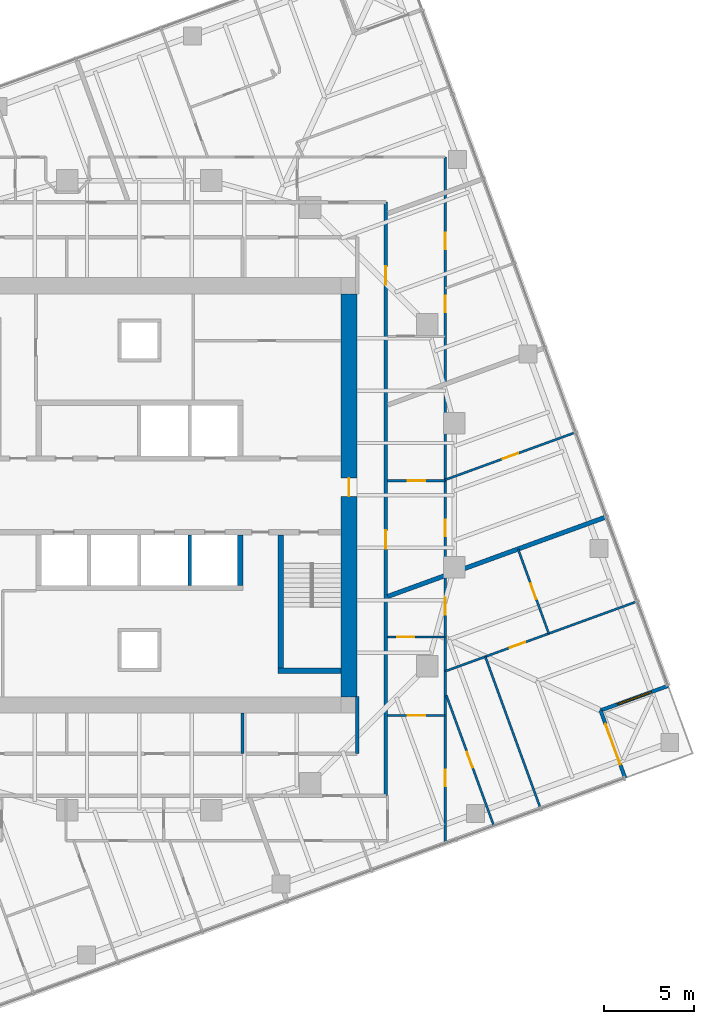
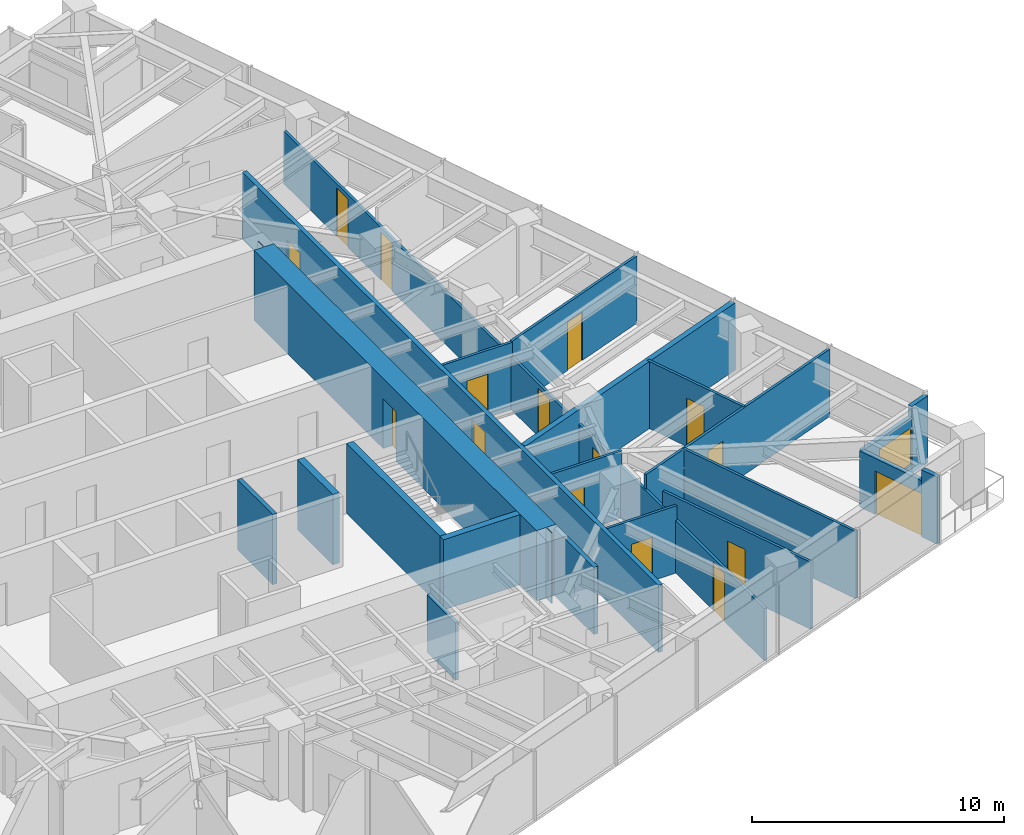
# One storey, part 9 of 13: 22 walls, 16 doors, 1 window, 17 openings.
"""IFC4 building model written with IfcOpenShell, lengths in metres."""

from ifc_helpers import new_model, si_unit, direction, frame, frame_2d, origin, place, context, subcontext, project, spatial, polyline, rectangle, outline, extrude, material, layer, layer_set, type_object, element, fill, save


model = new_model("IFC4")

# Units and contexts
model_context = context("Model", 3, precision=1e-05, world=origin(), true_north=direction((0.0, 1.0)))
body_context = subcontext(model_context, "Body", "Model", "MODEL_VIEW")
ifc_project = project(units=[si_unit("LENGTHUNIT", "METRE"), si_unit("AREAUNIT", "SQUARE_METRE"), si_unit("VOLUMEUNIT", "CUBIC_METRE"), si_unit("PLANEANGLEUNIT", "RADIAN"), si_unit("MASSUNIT", "GRAM", prefix="KILO")], contexts=[model_context])

# Site, building, storey
site_placement = place(None, origin())
site = spatial("IfcSite", under=ifc_project, at=site_placement, CompositionType="ELEMENT")
building_placement = place(site_placement, origin())
building = spatial("IfcBuilding", under=site, at=building_placement, Name="Torsade Residences", CompositionType="ELEMENT")
storey_placement = place(building_placement, frame((0.0, 0.0, 143.800048828125)))
storey = spatial("IfcBuildingStorey", under=building, at=storey_placement, Name="L39", CompositionType="ELEMENT", Elevation=143.800048828125)

# Walls
ifc_material_1 = material(Name="Concrete 80 MPa", Category="concrete")
ifc_layer_1 = layer(ifc_material_1, 0.300048828125)
ifc_layer_set_1 = layer_set([ifc_layer_1], Name="Concrete 80 MPa")
wall_type_1 = type_object("IfcWallType", Name="CORE INTERNAL WALL 300", PredefinedType="SHEAR", material=ifc_layer_set_1)
wall_1_placement = place(storey_placement, frame((45.60009765625, 27.800048828125, 0.0), z_axis=(0.0, 0.0, 1.0), x_axis=(0.0, -1.0, 0.0)))
element("IfcWall", 1, at=wall_1_placement, inside=storey, type_object=wall_type_1, Name="Core wall DS0 L39", PredefinedType="SHEAR", context=body_context, shape_type="SweptSolid", body=[
    extrude(rectangle(XDim=2.800048828125, YDim=0.300048828125, at=frame_2d((1.39990234375, 0.0))), origin(), (0.0, 0.0, 1.0), 3.39990234375),
])
wall_2_placement = place(storey_placement, frame((47.85009765625, 27.800048828125, 0.0), z_axis=(0.0, 0.0, 1.0), x_axis=(0.0, -1.0, 0.0)))
element("IfcWall", 2, at=wall_2_placement, inside=storey, type_object=wall_type_1, Name="Core wall ST2W L39", PredefinedType="SHEAR", context=body_context, shape_type="SweptSolid", body=[
    extrude(rectangle(XDim=7.699951171875, YDim=0.300048828125, at=frame_2d((3.85009765625, 0.0))), origin(), (0.0, 0.0, 1.0), 3.39990234375),
])
wall_3_placement = place(storey_placement, frame((51.199951171875, 20.25, 0.0), z_axis=(0.0, 0.0, 1.0), x_axis=(-1.0, 0.0, 0.0)))
element("IfcWall", 3, at=wall_3_placement, inside=storey, type_object=wall_type_1, Name="Core wall ST2S L39", PredefinedType="SHEAR", context=body_context, shape_type="SweptSolid", body=[
    extrude(rectangle(XDim=3.5, YDim=0.300048828125, at=frame_2d((1.75, 0.0))), origin(), (0.0, 0.0, 1.0), 3.39990234375),
])

# Wall, opening, door
ifc_material_2 = material(Name="Concrete 80 MPa", Category="concrete")
ifc_layer_2 = layer(ifc_material_2, 0.89990234375)
ifc_layer_set_2 = layer_set([ifc_layer_2], Name="Concrete 80 MPa")
wall_type_2 = type_object("IfcWallType", Name="CORE WALL 900", PredefinedType="SHEAR", material=ifc_layer_set_2)
wall_4_placement = place(storey_placement, frame((51.64990234375, 18.800048828125, 0.0), z_axis=(0.0, 0.0, 1.0), x_axis=(0.0, 1.0, 0.0)))
wall_4 = element("IfcWall", 4, at=wall_4_placement, inside=storey, type_object=wall_type_2, Name="Core wall E L39", PredefinedType="SHEAR", context=body_context, shape_type="SweptSolid", body=[
    extrude(outline(polyline([(0.0, -0.449951171875), (22.39990234375, -0.449951171875), (22.39990234375, -0.02490234375), (22.849853515625, -0.02490234375), (22.849853515625, 0.02490234375), (22.39990234375, 0.02490234375), (22.39990234375, 0.449951171875), (0.0, 0.449951171875), (0.0, 0.02490234375), (-0.449951171875, 0.02490234375), (-0.449951171875, -0.02490234375), (0.0, -0.02490234375), (0.0, -0.449951171875)])), origin(), (0.0, 0.0, 1.0), 3.39990234375),
])
opening_1_placement = place(wall_4_placement, frame((11.139892578125, 0.0, 0.0)))
opening_1 = element("IfcOpeningElement", 5, at=opening_1_placement, cuts=wall_4, Name="Opening D04", PredefinedType="OPENING", context=body_context, shape_type="SweptSolid", body=[
    extrude(rectangle(XDim=1.02001953125, YDim=2.39990234375, at=frame_2d((0.510009765625, 1.199951171875))), frame((0.0, 0.4599609375, 0.0), z_axis=(0.0, -1.0, 0.0), x_axis=(1.0, 0.0, 0.0)), (0.0, 0.0, 1.0), 0.919921875),
])
ifc_material_3 = material(Name="Steel-framed fire door", Category="steel")
door_type_1 = type_object("IfcDoorType", Name="LOBBY SMOKE DOOR 1020x2400", OperationType="NOTDEFINED", PredefinedType="DOOR", material=ifc_material_3)
door_1_placement = place(opening_1_placement, origin())
door_1 = element("IfcDoor", 6, at=door_1_placement, inside=storey, type_object=door_type_1, Name="Lift lobby door E L39", OperationType="SINGLE_SWING_LEFT", OverallHeight=2.39990234375, OverallWidth=1.02001953125, PredefinedType="DOOR", context=body_context, shape_type="SweptSolid", body=[
    extrude(rectangle(XDim=1.02001953125, YDim=2.39990234375, at=frame_2d((0.510009765625, 1.199951171875))), frame((0.0, 0.02490234375, 0.0), z_axis=(0.0, -1.0, 0.0), x_axis=(1.0, 0.0, 0.0)), (0.0, 0.0, 1.0), 0.050048828125),
])
fill(opening_1, door_1)

# Wall, openings, doors
ifc_material_4 = material(Name="Plasterboard on steel stud", Category="steel")
ifc_layer_3 = layer(ifc_material_4, 0.199951171875)
ifc_layer_set_3 = layer_set([ifc_layer_3], Name="Plasterboard on steel stud")
wall_type_3 = type_object("IfcWallType", Name="CORRIDOR WALL 200", PredefinedType="PARTITIONING", material=ifc_layer_set_3)
wall_5_placement = place(storey_placement, frame((53.699951171875, 13.300048828125, 0.0), z_axis=(0.0, 0.0, 1.0), x_axis=(0.0, 1.0, 0.0)))
wall_5 = element("IfcWall", 7, at=wall_5_placement, inside=storey, type_object=wall_type_3, Name="Corridor wall L39", PredefinedType="PARTITIONING", context=body_context, shape_type="SweptSolid", body=[
    extrude(rectangle(XDim=33.0, YDim=0.199951171875, at=frame_2d((16.5, 0.0))), origin(), (0.0, 0.0, 1.0), 3.25),
])
opening_2_placement = place(wall_5_placement, frame((28.4111328125, 0.0, 0.0)))
opening_2 = element("IfcOpeningElement", 8, at=opening_2_placement, cuts=wall_5, Name="Opening D01L", PredefinedType="OPENING", context=body_context, shape_type="SweptSolid", body=[
    extrude(rectangle(XDim=1.02001953125, YDim=2.10009765625, at=frame_2d((0.510009765625, 1.050048828125))), frame((0.0, 0.10986328125, 0.0), z_axis=(0.0, -1.0, 0.0), x_axis=(1.0, 0.0, 0.0)), (0.0, 0.0, 1.0), 0.219970703125),
])
opening_3_placement = place(wall_5_placement, frame((13.7412109375, 0.0, 0.0)))
opening_3 = element("IfcOpeningElement", 9, at=opening_3_placement, cuts=wall_5, Name="Opening D01", PredefinedType="OPENING", context=body_context, shape_type="SweptSolid", body=[
    extrude(rectangle(XDim=1.02001953125, YDim=2.340087890625, at=frame_2d((0.510009765625, 1.169921875))), frame((0.0, 0.10986328125, 0.0), z_axis=(0.0, -1.0, 0.0), x_axis=(1.0, 0.0, 0.0)), (0.0, 0.0, 1.0), 0.219970703125),
])
ifc_material_5 = material(Name="Solid-core timber fire door", Category="wood")
door_type_2 = type_object("IfcDoorType", Name="APARTMENT ENTRY DOOR 1020x2100", OperationType="NOTDEFINED", PredefinedType="DOOR", material=ifc_material_5)
door_2_placement = place(opening_2_placement, origin())
door_2 = element("IfcDoor", 10, at=door_2_placement, inside=storey, type_object=door_type_2, Name="Door Residential corridor to Kitchen and dining", OperationType="SINGLE_SWING_RIGHT", OverallHeight=2.10009765625, OverallWidth=1.02001953125, PredefinedType="DOOR", context=body_context, shape_type="SweptSolid", body=[
    extrude(rectangle(XDim=1.02001953125, YDim=2.10009765625, at=frame_2d((0.510009765625, 1.050048828125))), frame((0.0, 0.02490234375, 0.0), z_axis=(0.0, -1.0, 0.0), x_axis=(1.0, 0.0, 0.0)), (0.0, 0.0, 1.0), 0.050048828125),
])
fill(opening_2, door_2)
ifc_material_6 = material(Name="Solid-core timber fire door", Category="wood")
door_type_3 = type_object("IfcDoorType", Name="APARTMENT ENTRY DOOR 1020x2340", OperationType="NOTDEFINED", PredefinedType="DOOR", material=ifc_material_6)
door_3_placement = place(opening_3_placement, origin())
door_3 = element("IfcDoor", 11, at=door_3_placement, inside=storey, type_object=door_type_3, Name="Door Residential corridor to Kitchen and dining", OperationType="SINGLE_SWING_LEFT", OverallHeight=2.340087890625, OverallWidth=1.02001953125, PredefinedType="DOOR", context=body_context, shape_type="SweptSolid", body=[
    extrude(rectangle(XDim=1.02001953125, YDim=2.340087890625, at=frame_2d((0.510009765625, 1.169921875))), frame((0.0, 0.02490234375, 0.0), z_axis=(0.0, -1.0, 0.0), x_axis=(1.0, 0.0, 0.0)), (0.0, 0.0, 1.0), 0.050048828125),
])
fill(opening_3, door_3)

# Walls
wall_6_placement = place(storey_placement, frame((52.10009765625, 15.64990234375, 0.0), z_axis=(0.0, 0.0, 1.0), x_axis=(0.0, 1.0, 0.0)))
element("IfcWall", 12, at=wall_6_placement, inside=storey, type_object=wall_type_3, Name="Corridor wall L39", PredefinedType="PARTITIONING", context=body_context, shape_type="SweptSolid", body=[
    extrude(rectangle(XDim=3.170166015625, YDim=0.199951171875, at=frame_2d((1.5849609375, 0.0))), origin(), (0.0, 0.0, 1.0), 3.25),
])
ifc_material_7 = material(Name="Reinforced blockwork", Category="masonry")
ifc_layer_4 = layer(ifc_material_7, 0.199951171875)
ifc_layer_set_4 = layer_set([ifc_layer_4], Name="Reinforced blockwork")
wall_type_4 = type_object("IfcWallType", Name="LIFT SHAFT DIVIDING WALL 200", PredefinedType="SOLIDWALL", material=ifc_layer_set_4)
wall_7_placement = place(storey_placement, frame((42.800048828125, 27.800048828125, 0.0), z_axis=(0.0, 0.0, 1.0), x_axis=(0.0, -1.0, 0.0)))
element("IfcWall", 13, at=wall_7_placement, inside=storey, type_object=wall_type_4, Name="Core wall DS1 L39", PredefinedType="SOLIDWALL", context=body_context, shape_type="SweptSolid", body=[
    extrude(rectangle(XDim=2.800048828125, YDim=0.199951171875, at=frame_2d((1.39990234375, 0.0))), origin(), (0.0, 0.0, 1.0), 3.39990234375),
])

# Wall, opening, door
ifc_material_8 = material(Name="Plasterboard on steel stud", Category="steel")
ifc_layer_5 = layer(ifc_material_8, 0.1201171875)
ifc_layer_set_5 = layer_set([ifc_layer_5], Name="Plasterboard on steel stud")
wall_type_5 = type_object("IfcWallType", Name="PARTITION 120", PredefinedType="PARTITIONING", material=ifc_layer_set_5)
wall_8_placement = place(storey_placement, frame((53.800048828125, 17.768798828125, 0.0), z_axis=(0.0, 0.0, 1.0), x_axis=(1.0, 0.0, 0.0)))
wall_8 = element("IfcWall", 14, at=wall_8_placement, inside=storey, type_object=wall_type_5, Name="Partition L39", PredefinedType="PARTITIONING", context=body_context, shape_type="SweptSolid", body=[
    extrude(rectangle(XDim=3.199951171875, YDim=0.1201171875, at=frame_2d((1.60009765625, 0.0))), origin(), (0.0, 0.0, 1.0), 3.25),
])
opening_4_placement = place(wall_8_placement, frame((1.1201171875, 0.0, 0.0)))
opening_4 = element("IfcOpeningElement", 15, at=opening_4_placement, cuts=wall_8, Name="Opening D05", PredefinedType="OPENING", context=body_context, shape_type="SweptSolid", body=[
    extrude(rectangle(XDim=0.9599609375, YDim=2.10009765625, at=frame_2d((0.47998046875, 1.050048828125))), frame((0.0, 0.070068359375, 0.0), z_axis=(0.0, -1.0, 0.0), x_axis=(1.0, 0.0, 0.0)), (0.0, 0.0, 1.0), 0.14013671875),
])
ifc_material_9 = material(Name="Hollow-core timber door in a steel cavity frame", Category="steel")
door_type_4 = type_object("IfcDoorType", Name="BATHROOM CAVITY SLIDING DOOR 960", OperationType="SLIDING_TO_LEFT", PredefinedType="DOOR", material=ifc_material_9)
door_4_placement = place(opening_4_placement, origin())
door_4 = element("IfcDoor", 16, at=door_4_placement, inside=storey, type_object=door_type_4, Name="Door Scullery to Bathroom", OperationType="SLIDING_TO_LEFT", OverallHeight=2.10009765625, OverallWidth=0.9599609375, PredefinedType="DOOR", context=body_context, shape_type="SweptSolid", body=[
    extrude(rectangle(XDim=0.9599609375, YDim=2.10009765625, at=frame_2d((0.47998046875, 1.050048828125))), frame((0.0, 0.02490234375, 0.0), z_axis=(0.0, -1.0, 0.0), x_axis=(1.0, 0.0, 0.0)), (0.0, 0.0, 1.0), 0.050048828125),
])
fill(opening_4, door_4)

# Wall, openings, doors
wall_9_placement = place(storey_placement, frame((57.0, 48.800048828125, 0.0), z_axis=(0.0, 0.0, 1.0), x_axis=(0.0, -1.0, 0.0)))
wall_9 = element("IfcWall", 17, at=wall_9_placement, inside=storey, type_object=wall_type_5, Name="Partition L39", PredefinedType="PARTITIONING", context=body_context, shape_type="SweptSolid", body=[
    extrude(rectangle(XDim=38.11279296875, YDim=0.1201171875, at=frame_2d((19.056396484375, 0.0))), origin(), (0.0, 0.0, 1.0), 2.550048828125),
])
opening_5_placement = place(wall_9_placement, frame((4.19775390625, 0.0, 0.0)))
opening_5 = element("IfcOpeningElement", 18, at=opening_5_placement, cuts=wall_9, Name="Opening D02", PredefinedType="OPENING", context=body_context, shape_type="SweptSolid", body=[
    extrude(rectangle(XDim=0.919921875, YDim=2.340087890625, at=frame_2d((0.4599609375, 1.169921875))), frame((0.0, 0.070068359375, 0.0), z_axis=(0.0, -1.0, 0.0), x_axis=(1.0, 0.0, 0.0)), (0.0, 0.0, 1.0), 0.14013671875),
])
opening_6_placement = place(wall_9_placement, frame((7.69189453125, 0.0, 0.0)))
opening_6 = element("IfcOpeningElement", 19, at=opening_6_placement, cuts=wall_9, Name="Opening D02", PredefinedType="OPENING", context=body_context, shape_type="SweptSolid", body=[
    extrude(rectangle(XDim=0.919921875, YDim=2.340087890625, at=frame_2d((0.4599609375, 1.169921875))), frame((0.0, 0.070068359375, 0.0), z_axis=(0.0, -1.0, 0.0), x_axis=(1.0, 0.0, 0.0)), (0.0, 0.0, 1.0), 0.14013671875),
])
opening_7_placement = place(wall_9_placement, frame((20.162109375, 0.0, 0.0)))
opening_7 = element("IfcOpeningElement", 20, at=opening_7_placement, cuts=wall_9, Name="Opening D02", PredefinedType="OPENING", context=body_context, shape_type="SweptSolid", body=[
    extrude(rectangle(XDim=0.919921875, YDim=2.340087890625, at=frame_2d((0.4599609375, 1.169921875))), frame((0.0, 0.070068359375, 0.0), z_axis=(0.0, -1.0, 0.0), x_axis=(1.0, 0.0, 0.0)), (0.0, 0.0, 1.0), 0.14013671875),
])
opening_8_placement = place(wall_9_placement, frame((34.0556640625, 0.0, 0.0)))
opening_8 = element("IfcOpeningElement", 21, at=opening_8_placement, cuts=wall_9, Name="Opening D02", PredefinedType="OPENING", context=body_context, shape_type="SweptSolid", body=[
    extrude(rectangle(XDim=0.919921875, YDim=2.340087890625, at=frame_2d((0.4599609375, 1.169921875))), frame((0.0, 0.070068359375, 0.0), z_axis=(0.0, -1.0, 0.0), x_axis=(1.0, 0.0, 0.0)), (0.0, 0.0, 1.0), 0.14013671875),
])
opening_9_placement = place(wall_9_placement, frame((24.482421875, 0.0, 0.0)))
opening_9 = element("IfcOpeningElement", 22, at=opening_9_placement, cuts=wall_9, Name="Opening D05", PredefinedType="OPENING", context=body_context, shape_type="SweptSolid", body=[
    extrude(rectangle(XDim=0.9599609375, YDim=2.10009765625, at=frame_2d((0.47998046875, 1.050048828125))), frame((0.0, 0.070068359375, 0.0), z_axis=(0.0, -1.0, 0.0), x_axis=(1.0, 0.0, 0.0)), (0.0, 0.0, 1.0), 0.14013671875),
])
door_5_placement = place(opening_9_placement, origin())
door_5 = element("IfcDoor", 23, at=door_5_placement, inside=storey, type_object=door_type_4, Name="Door Ensuite to Walk-in robe", OperationType="SLIDING_TO_LEFT", OverallHeight=2.10009765625, OverallWidth=0.9599609375, PredefinedType="DOOR", context=body_context, shape_type="SweptSolid", body=[
    extrude(rectangle(XDim=0.9599609375, YDim=2.10009765625, at=frame_2d((0.47998046875, 1.050048828125))), frame((0.0, 0.02490234375, 0.0), z_axis=(0.0, -1.0, 0.0), x_axis=(1.0, 0.0, 0.0)), (0.0, 0.0, 1.0), 0.050048828125),
])
fill(opening_9, door_5)
ifc_material_10 = material(Name="Hollow-core timber door", Category="wood")
door_type_5 = type_object("IfcDoorType", Name="INTERNAL DOOR 920x2340", OperationType="NOTDEFINED", PredefinedType="DOOR", material=ifc_material_10)
door_6_placement = place(opening_5_placement, origin())
door_6 = element("IfcDoor", 24, at=door_6_placement, inside=storey, type_object=door_type_5, Name="Door Kitchen and dining to Bedroom 1", OperationType="SINGLE_SWING_RIGHT", OverallHeight=2.340087890625, OverallWidth=0.919921875, PredefinedType="DOOR", context=body_context, shape_type="SweptSolid", body=[
    extrude(rectangle(XDim=0.919921875, YDim=2.340087890625, at=frame_2d((0.4599609375, 1.169921875))), frame((0.0, 0.02490234375, 0.0), z_axis=(0.0, -1.0, 0.0), x_axis=(1.0, 0.0, 0.0)), (0.0, 0.0, 1.0), 0.050048828125),
])
fill(opening_5, door_6)
door_7_placement = place(opening_6_placement, origin())
door_7 = element("IfcDoor", 25, at=door_7_placement, inside=storey, type_object=door_type_5, Name="Door Kitchen and dining to Living room", OperationType="SINGLE_SWING_LEFT", OverallHeight=2.340087890625, OverallWidth=0.919921875, PredefinedType="DOOR", context=body_context, shape_type="SweptSolid", body=[
    extrude(rectangle(XDim=0.919921875, YDim=2.340087890625, at=frame_2d((0.4599609375, 1.169921875))), frame((0.0, 0.02490234375, 0.0), z_axis=(0.0, -1.0, 0.0), x_axis=(1.0, 0.0, 0.0)), (0.0, 0.0, 1.0), 0.050048828125),
])
fill(opening_6, door_7)
door_8_placement = place(opening_7_placement, origin())
door_8 = element("IfcDoor", 26, at=door_8_placement, inside=storey, type_object=door_type_5, Name="Door Kitchen and dining to Living room", OperationType="SINGLE_SWING_RIGHT", OverallHeight=2.340087890625, OverallWidth=0.919921875, PredefinedType="DOOR", context=body_context, shape_type="SweptSolid", body=[
    extrude(rectangle(XDim=0.919921875, YDim=2.340087890625, at=frame_2d((0.4599609375, 1.169921875))), frame((0.0, 0.02490234375, 0.0), z_axis=(0.0, -1.0, 0.0), x_axis=(1.0, 0.0, 0.0)), (0.0, 0.0, 1.0), 0.050048828125),
])
fill(opening_7, door_8)
door_9_placement = place(opening_8_placement, origin())
door_9 = element("IfcDoor", 27, at=door_9_placement, inside=storey, type_object=door_type_5, Name="Door Scullery to Study", OperationType="SINGLE_SWING_RIGHT", OverallHeight=2.340087890625, OverallWidth=0.919921875, PredefinedType="DOOR", context=body_context, shape_type="SweptSolid", body=[
    extrude(rectangle(XDim=0.919921875, YDim=2.340087890625, at=frame_2d((0.4599609375, 1.169921875))), frame((0.0, 0.02490234375, 0.0), z_axis=(0.0, -1.0, 0.0), x_axis=(1.0, 0.0, 0.0)), (0.0, 0.0, 1.0), 0.050048828125),
])
fill(opening_8, door_9)

# Wall, opening, door
wall_10_placement = place(storey_placement, frame((53.800048828125, 22.12939453125, 0.0), z_axis=(0.0, 0.0, 1.0), x_axis=(1.0, 0.0, 0.0)))
wall_10 = element("IfcWall", 28, at=wall_10_placement, inside=storey, type_object=wall_type_5, Name="Partition L39", PredefinedType="PARTITIONING", context=body_context, shape_type="SweptSolid", body=[
    extrude(rectangle(XDim=3.199951171875, YDim=0.1201171875, at=frame_2d((1.60009765625, 0.0))), origin(), (0.0, 0.0, 1.0), 3.25),
])
opening_10_placement = place(wall_10_placement, frame((0.52001953125, 0.0, 0.0)))
opening_10 = element("IfcOpeningElement", 29, at=opening_10_placement, cuts=wall_10, Name="Opening D05", PredefinedType="OPENING", context=body_context, shape_type="SweptSolid", body=[
    extrude(rectangle(XDim=0.9599609375, YDim=2.10009765625, at=frame_2d((0.47998046875, 1.050048828125))), frame((0.0, 0.070068359375, 0.0), z_axis=(0.0, -1.0, 0.0), x_axis=(1.0, 0.0, 0.0)), (0.0, 0.0, 1.0), 0.14013671875),
])
door_10_placement = place(opening_10_placement, origin())
door_10 = element("IfcDoor", 30, at=door_10_placement, inside=storey, type_object=door_type_4, Name="Door Bathroom to Ensuite", OperationType="SLIDING_TO_LEFT", OverallHeight=2.10009765625, OverallWidth=0.9599609375, PredefinedType="DOOR", context=body_context, shape_type="SweptSolid", body=[
    extrude(rectangle(XDim=0.9599609375, YDim=2.10009765625, at=frame_2d((0.47998046875, 1.050048828125))), frame((0.0, 0.02490234375, 0.0), z_axis=(0.0, -1.0, 0.0), x_axis=(1.0, 0.0, 0.0)), (0.0, 0.0, 1.0), 0.050048828125),
])
fill(opening_10, door_10)

wall_11_placement = place(storey_placement, frame((57.0, 20.224853515625, 0.0), z_axis=(0.0, 0.0, 1.0), x_axis=(0.939693965364, 0.342016449105, 0.0)))
wall_11 = element("IfcWall", 31, at=wall_11_placement, inside=storey, type_object=wall_type_5, Name="Partition L39", PredefinedType="PARTITIONING", context=body_context, shape_type="SweptSolid", body=[
    extrude(rectangle(XDim=11.328369140625, YDim=0.1201171875, at=frame_2d((5.6640625, 0.0))), origin(), (0.0, 0.0, 1.0), 3.25),
])
opening_11_placement = place(wall_11_placement, frame((3.812255859375, 0.0, 0.0)))
opening_11 = element("IfcOpeningElement", 32, at=opening_11_placement, cuts=wall_11, Name="Opening D02", PredefinedType="OPENING", context=body_context, shape_type="SweptSolid", body=[
    extrude(rectangle(XDim=0.919921875, YDim=2.340087890625, at=frame_2d((0.4599609375, 1.169921875))), frame((0.0, 0.070068359375, 0.0), z_axis=(0.0, -1.0, 0.0), x_axis=(1.0, 0.0, 0.0)), (0.0, 0.0, 1.0), 0.14013671875),
])
door_11_placement = place(opening_11_placement, origin())
door_11 = element("IfcDoor", 33, at=door_11_placement, inside=storey, type_object=door_type_5, Name="Door Walk-in robe to Living room", OperationType="SINGLE_SWING_RIGHT", OverallHeight=2.340087890625, OverallWidth=0.919921875, PredefinedType="DOOR", context=body_context, shape_type="SweptSolid", body=[
    extrude(rectangle(XDim=0.919921875, YDim=2.340087890625, at=frame_2d((0.4599609375, 1.169921875))), frame((0.0, 0.02490234375, 0.0), z_axis=(0.0, -1.0, 0.0), x_axis=(1.0, 0.0, 0.0)), (0.0, 0.0, 1.0), 0.050048828125),
])
fill(opening_11, door_11)

# Wall
wall_12_placement = place(storey_placement, frame((62.290283203125, 12.615234375, 0.0), z_axis=(0.0, 0.0, 1.0), x_axis=(-0.342038393654, 0.939685978009, 0.0)))
element("IfcWall", 34, at=wall_12_placement, inside=storey, type_object=wall_type_5, Name="Partition L39", PredefinedType="PARTITIONING", context=body_context, shape_type="SweptSolid", body=[
    extrude(rectangle(XDim=8.960205078125, YDim=0.1201171875, at=frame_2d((4.47998046875, 0.0))), origin(), (0.0, 0.0, 1.0), 3.25),
])

# Wall, opening, door
wall_13_placement = place(storey_placement, frame((62.756591796875, 22.320068359375, 0.0), z_axis=(0.0, 0.0, 1.0), x_axis=(-0.341993964619, 0.939702148643, 0.0)))
wall_13 = element("IfcWall", 35, at=wall_13_placement, inside=storey, type_object=wall_type_5, Name="Partition L39", PredefinedType="PARTITIONING", context=body_context, shape_type="SweptSolid", body=[
    extrude(rectangle(XDim=5.0, YDim=0.1201171875, at=frame_2d((2.5, 0.0))), origin(), (0.0, 0.0, 1.0), 3.25),
])
opening_12_placement = place(wall_13_placement, frame((2.0400390625, 0.0, 0.0)))
opening_12 = element("IfcOpeningElement", 36, at=opening_12_placement, cuts=wall_13, Name="Opening D02", PredefinedType="OPENING", context=body_context, shape_type="SweptSolid", body=[
    extrude(rectangle(XDim=0.919921875, YDim=2.340087890625, at=frame_2d((0.4599609375, 1.169921875))), frame((0.0, 0.070068359375, 0.0), z_axis=(0.0, -1.0, 0.0), x_axis=(1.0, 0.0, 0.0)), (0.0, 0.0, 1.0), 0.14013671875),
])
door_12_placement = place(opening_12_placement, origin())
door_12 = element("IfcDoor", 37, at=door_12_placement, inside=storey, type_object=door_type_5, Name="Door Walk-in robe to Bedroom 1", OperationType="SINGLE_SWING_RIGHT", OverallHeight=2.340087890625, OverallWidth=0.919921875, PredefinedType="DOOR", context=body_context, shape_type="SweptSolid", body=[
    extrude(rectangle(XDim=0.919921875, YDim=2.340087890625, at=frame_2d((0.4599609375, 1.169921875))), frame((0.0, 0.02490234375, 0.0), z_axis=(0.0, -1.0, 0.0), x_axis=(1.0, 0.0, 0.0)), (0.0, 0.0, 1.0), 0.050048828125),
])
fill(opening_12, door_12)

wall_14_placement = place(storey_placement, frame((59.689208984375, 11.668701171875, 0.0), z_axis=(0.0, 0.0, 1.0), x_axis=(-0.342003311293, 0.939698746974, 0.0)))
wall_14 = element("IfcWall", 38, at=wall_14_placement, inside=storey, type_object=wall_type_5, Name="Partition L39", PredefinedType="PARTITIONING", context=body_context, shape_type="SweptSolid", body=[
    extrude(rectangle(XDim=7.6826171875, YDim=0.1201171875, at=frame_2d((3.84130859375, 0.0))), origin(), (0.0, 0.0, 1.0), 3.25),
])
opening_13_placement = place(wall_14_placement, frame((3.411376953125, 0.0, 0.0)))
opening_13 = element("IfcOpeningElement", 39, at=opening_13_placement, cuts=wall_14, Name="Opening D02", PredefinedType="OPENING", context=body_context, shape_type="SweptSolid", body=[
    extrude(rectangle(XDim=0.919921875, YDim=2.340087890625, at=frame_2d((0.4599609375, 1.169921875))), frame((0.0, 0.070068359375, 0.0), z_axis=(0.0, -1.0, 0.0), x_axis=(1.0, 0.0, 0.0)), (0.0, 0.0, 1.0), 0.14013671875),
])
door_13_placement = place(opening_13_placement, origin())
door_13 = element("IfcDoor", 40, at=door_13_placement, inside=storey, type_object=door_type_5, Name="Door Study to Bedroom 3", OperationType="SINGLE_SWING_LEFT", OverallHeight=2.340087890625, OverallWidth=0.919921875, PredefinedType="DOOR", context=body_context, shape_type="SweptSolid", body=[
    extrude(rectangle(XDim=0.919921875, YDim=2.340087890625, at=frame_2d((0.4599609375, 1.169921875))), frame((0.0, 0.02490234375, 0.0), z_axis=(0.0, -1.0, 0.0), x_axis=(1.0, 0.0, 0.0)), (0.0, 0.0, 1.0), 0.050048828125),
])
fill(opening_13, door_13)

wall_15_placement = place(storey_placement, frame((53.800048828125, 30.810302734375, 0.0), z_axis=(0.0, 0.0, 1.0), x_axis=(1.0, 0.0, 0.0)))
wall_15 = element("IfcWall", 41, at=wall_15_placement, inside=storey, type_object=wall_type_5, Name="Partition L39", PredefinedType="PARTITIONING", context=body_context, shape_type="SweptSolid", body=[
    extrude(rectangle(XDim=3.199951171875, YDim=0.1201171875, at=frame_2d((1.60009765625, 0.0))), origin(), (0.0, 0.0, 1.0), 3.25),
])
opening_14_placement = place(wall_15_placement, frame((1.1201171875, 0.0, 0.0)))
opening_14 = element("IfcOpeningElement", 42, at=opening_14_placement, cuts=wall_15, Name="Opening D05", PredefinedType="OPENING", context=body_context, shape_type="SweptSolid", body=[
    extrude(rectangle(XDim=0.9599609375, YDim=2.10009765625, at=frame_2d((0.47998046875, 1.050048828125))), frame((0.0, 0.070068359375, 0.0), z_axis=(0.0, -1.0, 0.0), x_axis=(1.0, 0.0, 0.0)), (0.0, 0.0, 1.0), 0.14013671875),
])
door_14_placement = place(opening_14_placement, origin())
door_14 = element("IfcDoor", 43, at=door_14_placement, inside=storey, type_object=door_type_4, Name="Door Kitchen and dining to Bathroom", OperationType="SLIDING_TO_LEFT", OverallHeight=2.10009765625, OverallWidth=0.9599609375, PredefinedType="DOOR", context=body_context, shape_type="SweptSolid", body=[
    extrude(rectangle(XDim=0.9599609375, YDim=2.10009765625, at=frame_2d((0.47998046875, 1.050048828125))), frame((0.0, 0.02490234375, 0.0), z_axis=(0.0, -1.0, 0.0), x_axis=(1.0, 0.0, 0.0)), (0.0, 0.0, 1.0), 0.050048828125),
])
fill(opening_14, door_14)

wall_16_placement = place(storey_placement, frame((57.0, 30.866455078125, 0.0), z_axis=(0.0, 0.0, 1.0), x_axis=(0.939685835373, 0.342038785519, 0.0)))
wall_16 = element("IfcWall", 44, at=wall_16_placement, inside=storey, type_object=wall_type_5, Name="Partition L39", PredefinedType="PARTITIONING", context=body_context, shape_type="SweptSolid", body=[
    extrude(rectangle(XDim=7.68896484375, YDim=0.1201171875, at=frame_2d((3.844482421875, 0.0))), origin(), (0.0, 0.0, 1.0), 3.25),
])
opening_15_placement = place(wall_16_placement, frame((3.404296875, 0.0, 0.0)))
opening_15 = element("IfcOpeningElement", 45, at=opening_15_placement, cuts=wall_16, Name="Opening D02", PredefinedType="OPENING", context=body_context, shape_type="SweptSolid", body=[
    extrude(rectangle(XDim=0.919921875, YDim=2.340087890625, at=frame_2d((0.4599609375, 1.169921875))), frame((0.0, 0.070068359375, 0.0), z_axis=(0.0, -1.0, 0.0), x_axis=(1.0, 0.0, 0.0)), (0.0, 0.0, 1.0), 0.14013671875),
])
door_15_placement = place(opening_15_placement, origin())
door_15 = element("IfcDoor", 46, at=door_15_placement, inside=storey, type_object=door_type_5, Name="Door Living room to Bedroom 1", OperationType="SINGLE_SWING_RIGHT", OverallHeight=2.340087890625, OverallWidth=0.919921875, PredefinedType="DOOR", context=body_context, shape_type="SweptSolid", body=[
    extrude(rectangle(XDim=0.919921875, YDim=2.340087890625, at=frame_2d((0.4599609375, 1.169921875))), frame((0.0, 0.02490234375, 0.0), z_axis=(0.0, -1.0, 0.0), x_axis=(1.0, 0.0, 0.0)), (0.0, 0.0, 1.0), 0.050048828125),
])
fill(opening_15, door_15)

# Walls
ifc_material_11 = material(Name="Masonry-lined stud party wall", Category="masonry")
ifc_layer_6 = layer(ifc_material_11, 0.25)
ifc_layer_set_6 = layer_set([ifc_layer_6], Name="Masonry-lined stud party wall")
wall_type_6 = type_object("IfcWallType", Name="PARTY WALL 250", PredefinedType="PARTITIONING", material=ifc_layer_set_6)
wall_17_placement = place(storey_placement, frame((65.972900390625, 28.8115234375, 0.0), z_axis=(0.0, 0.0, 1.0), x_axis=(-0.939692090592, -0.342021600019, 0.0)))
element("IfcWall", 47, at=wall_17_placement, inside=storey, type_object=wall_type_6, Name="Party wall L39", PredefinedType="PARTITIONING", context=body_context, shape_type="SweptSolid", body=[
    extrude(rectangle(XDim=12.94873046875, YDim=0.25, at=frame_2d((6.474365234375, 0.0))), origin(), (0.0, 0.0, 1.0), 3.25),
])
ifc_material_12 = material(Name="Reinforced blockwork", Category="masonry")
ifc_layer_7 = layer(ifc_material_12, 0.14990234375)
ifc_layer_set_7 = layer_set([ifc_layer_7], Name="Reinforced blockwork")
wall_type_7 = type_object("IfcWallType", Name="SERVICE ROOM WALL 150", PredefinedType="SOLIDWALL", material=ifc_layer_set_7)
wall_18_placement = place(storey_placement, frame((45.7353515625, 15.64990234375, 0.0), z_axis=(0.0, 0.0, 1.0), x_axis=(0.0, 1.0, 0.0)))
element("IfcWall", 48, at=wall_18_placement, inside=storey, type_object=wall_type_7, Name="Service room wall L39", PredefinedType="SOLIDWALL", context=body_context, shape_type="SweptSolid", body=[
    extrude(rectangle(XDim=2.25, YDim=0.14990234375, at=frame_2d((1.125, 0.0))), origin(), (0.0, 0.0, 1.0), 2.7958984375),
])
ifc_material_13 = material(Name="Stone-faced precast concrete 40 MPa panel", Category="masonry")
ifc_layer_8 = layer(ifc_material_13, 0.199951171875)
ifc_layer_set_8 = layer_set([ifc_layer_8], Name="Stone-faced precast concrete 40 MPa panel")
wall_type_8 = type_object("IfcWallType", Name="TERRACE WALL 200", PredefinedType="SOLIDWALL", material=ifc_layer_set_8)
wall_19_placement = place(storey_placement, frame((67.00244140625, 14.287841796875, 0.0), z_axis=(0.0, 0.0, 1.0), x_axis=(-0.342110593602, 0.939659694648, 0.0)))
element("IfcWall", 49, at=wall_19_placement, inside=storey, type_object=wall_type_8, Name="Terrace wall L39 2", PredefinedType="SOLIDWALL", context=body_context, shape_type="SweptSolid", body=[
    extrude(rectangle(XDim=0.800048828125, YDim=0.199951171875, at=frame_2d((0.39990234375, 0.0))), origin(), (0.0, 0.0, 1.0), 3.25),
])

# Wall, opening, door
wall_20_placement = place(storey_placement, frame((66.728759765625, 15.03955078125, 0.0), z_axis=(0.0, 0.0, 1.0), x_axis=(-0.342018703306, 0.939693144909, 0.0)))
wall_20 = element("IfcWall", 50, at=wall_20_placement, inside=storey, type_object=wall_type_8, Name="Terrace wall L39 2", PredefinedType="SOLIDWALL", context=body_context, shape_type="SweptSolid", body=[
    extrude(rectangle(XDim=3.199951171875, YDim=0.199951171875, at=frame_2d((1.60009765625, 0.0))), origin(), (0.0, 0.0, 1.0), 2.721923828125),
])
opening_16_placement = place(wall_20_placement, origin())
opening_16 = element("IfcOpeningElement", 51, at=opening_16_placement, cuts=wall_20, Name="Opening D10A", PredefinedType="OPENING", context=body_context, shape_type="SweptSolid", body=[
    extrude(rectangle(XDim=2.39990234375, YDim=2.10009765625, at=frame_2d((1.199951171875, 1.050048828125))), frame((0.0, 0.10986328125, 0.0), z_axis=(0.0, -1.0, 0.0), x_axis=(1.0, 0.0, 0.0)), (0.0, 0.0, 1.0), 0.219970703125),
])
ifc_material_14 = material(Name="Aluminium-framed glass door", Category="aluminium")
door_type_6 = type_object("IfcDoorType", Name="TERRACE SLIDING DOOR 2400x2100", OperationType="SLIDING_TO_LEFT", PredefinedType="DOOR", material=ifc_material_14)
door_16_placement = place(opening_16_placement, origin())
door_16 = element("IfcDoor", 52, at=door_16_placement, inside=storey, type_object=door_type_6, Name="Terrace door L39 2", OperationType="SLIDING_TO_LEFT", OverallHeight=2.10009765625, OverallWidth=2.39990234375, PredefinedType="DOOR", context=body_context, shape_type="SweptSolid", body=[
    extrude(rectangle(XDim=2.39990234375, YDim=2.10009765625, at=frame_2d((1.199951171875, 1.050048828125))), frame((0.0, 0.02490234375, 0.0), z_axis=(0.0, -1.0, 0.0), x_axis=(1.0, 0.0, 0.0)), (0.0, 0.0, 1.0), 0.050048828125),
])
fill(opening_16, door_16)

# Wall, opening, window
wall_21_placement = place(storey_placement, frame((65.63427734375, 18.046630859375, 0.0), z_axis=(0.0, 0.0, 1.0), x_axis=(0.939712609717, 0.341965219194, 0.0)))
wall_21 = element("IfcWall", 53, at=wall_21_placement, inside=storey, type_object=wall_type_8, Name="Terrace wall L39 3", PredefinedType="SOLIDWALL", context=body_context, shape_type="SweptSolid", body=[
    extrude(rectangle(XDim=3.0, YDim=0.199951171875, at=frame_2d((1.5, 0.0))), origin(), (0.0, 0.0, 1.0), 2.721923828125),
])
opening_17_placement = place(wall_21_placement, frame((1.0, 0.0, 0.449951171875)))
opening_17 = element("IfcOpeningElement", 54, at=opening_17_placement, cuts=wall_21, Name="Opening W1B", PredefinedType="OPENING", context=body_context, shape_type="SweptSolid", body=[
    extrude(rectangle(XDim=2.0, YDim=1.800048828125, at=frame_2d((1.0, 0.89990234375))), frame((0.0, 0.10986328125, 0.0), z_axis=(0.0, -1.0, 0.0), x_axis=(1.0, 0.0, 0.0)), (0.0, 0.0, 1.0), 0.219970703125),
])
ifc_material_15 = material(Name="Aluminium-framed glass window", Category="aluminium")
window_type = type_object("IfcWindowType", Name="TERRACE WINDOW 2000x1800", PartitioningType="SINGLE_PANEL", PredefinedType="WINDOW", material=ifc_material_15)
window_placement = place(opening_17_placement, origin())
window = element("IfcWindow", 55, at=window_placement, inside=storey, type_object=window_type, Name="Terrace window L39 3", OverallHeight=1.800048828125, OverallWidth=2.0, PartitioningType="SINGLE_PANEL", PredefinedType="WINDOW", context=body_context, shape_type="SweptSolid", body=[
    extrude(rectangle(XDim=2.0, YDim=1.800048828125, at=frame_2d((1.0, 0.89990234375))), frame((0.0, 0.030029296875, 0.0), z_axis=(0.0, -1.0, 0.0), x_axis=(1.0, 0.0, 0.0)), (0.0, 0.0, 1.0), 0.06005859375),
])
fill(opening_17, window)

# Wall
wall_22_placement = place(storey_placement, frame((68.453369140625, 19.072509765625, 0.0), z_axis=(0.0, 0.0, 1.0), x_axis=(0.939686455819, 0.342037080957, 0.0)))
element("IfcWall", 56, at=wall_22_placement, inside=storey, type_object=wall_type_8, Name="Terrace wall L39 3", PredefinedType="SOLIDWALL", context=body_context, shape_type="SweptSolid", body=[
    extrude(rectangle(XDim=1.0, YDim=0.199951171875, at=frame_2d((0.5, 0.0))), origin(), (0.0, 0.0, 1.0), 3.25),
])

save(model, "model.ifc")
